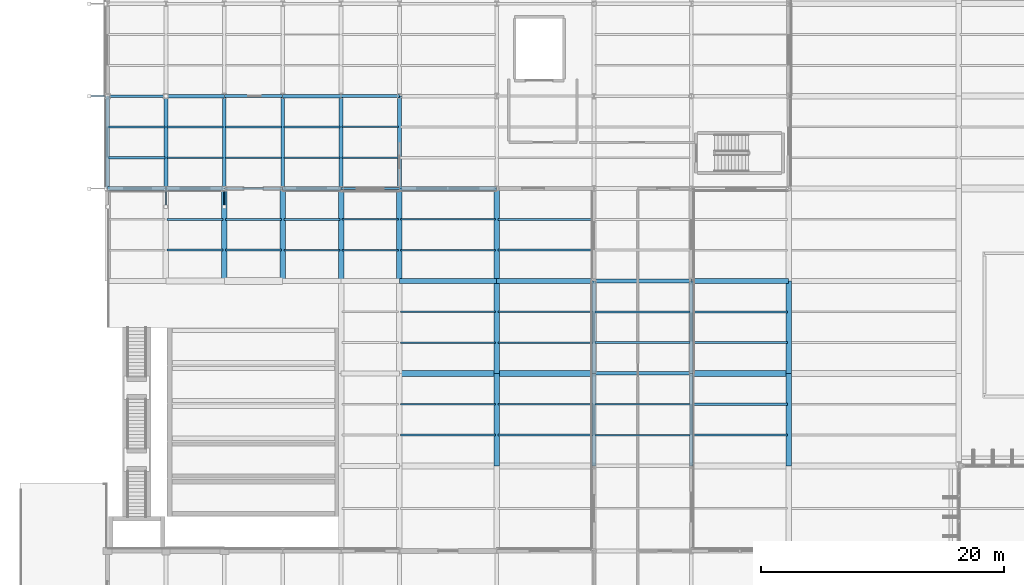
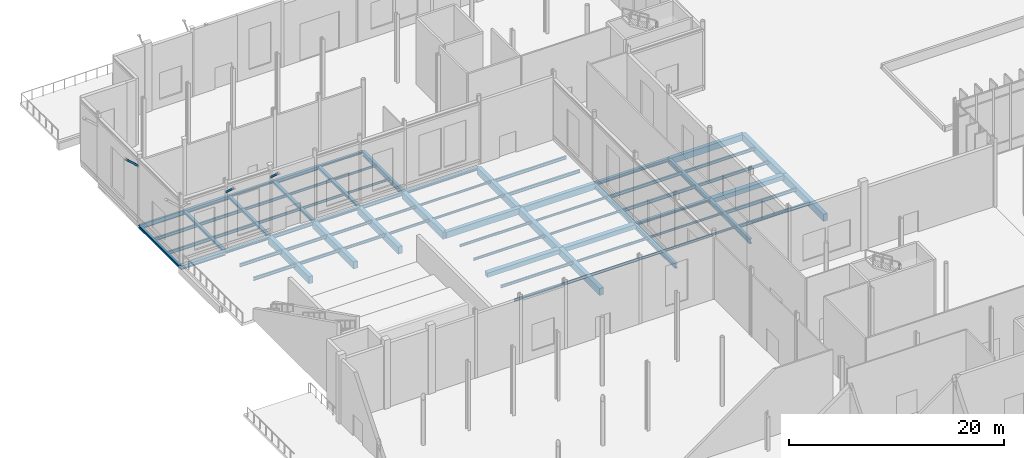
# One storey, part 56 of 176: 76 beams, 3 members.
"""IFC4 building model written with IfcOpenShell, lengths in metres."""

from ifc_helpers import new_model, si_unit, direction, frame, origin, origin_2d, place, context, subcontext, project, spatial, rectangle, hollow_rectangle, i_section, extrude, material, material_profile, profile_set, type_object, element, save


model = new_model("IFC4")

# Units and contexts
model_context = context("Model", 3, precision=1e-05, world=origin(), true_north=direction((0.0, 1.0)))
body_context = subcontext(model_context, "Body", "Model", "MODEL_VIEW")
ifc_project = project(units=[si_unit("LENGTHUNIT", "METRE"), si_unit("AREAUNIT", "SQUARE_METRE"), si_unit("VOLUMEUNIT", "CUBIC_METRE"), si_unit("PLANEANGLEUNIT", "RADIAN"), si_unit("MASSUNIT", "GRAM", prefix="KILO")], contexts=[model_context])

# Site, building, storey
site_placement = place(None, origin())
site = spatial("IfcSite", under=ifc_project, at=site_placement, CompositionType="ELEMENT")
building_placement = place(site_placement, origin())
building = spatial("IfcBuilding", under=site, at=building_placement, Name="Vekula Escarpment Museum", CompositionType="ELEMENT")
storey_placement = place(building_placement, origin())
storey = spatial("IfcBuildingStorey", under=building, at=storey_placement, Name="L01", CompositionType="ELEMENT", Elevation=0.0)

# Beams
ifc_material_1 = material(Name="Steel S355", Category="steel")
ifc_material_profile_1 = material_profile(ifc_material_1, i_section(OverallWidth=0.280029296875, OverallDepth=0.280029296875, WebThickness=0.010498046875, FlangeThickness=0.01806640625, FilletRadius=0.02392578125, at=origin_2d()), Name="HEB 280")
ifc_profile_set_1 = profile_set([ifc_material_profile_1], Name="Steel S355")
beam_type_1 = type_object("IfcBeamType", Name="BM-GIRD-HEB280", PredefinedType="BEAM", material=ifc_profile_set_1)
beam_1_placement = place(storey_placement, frame((40.0, 98.0, -0.4599609375), z_axis=(1.0, 0.0, 0.0), x_axis=(0.0, 1.0, 0.0)))
element("IfcBeam", 1, at=beam_1_placement, inside=storey, type_object=beam_type_1, Name="Beam X L01 0273", PredefinedType="BEAM", context=body_context, shape_type="SweptSolid", body=[
    extrude(i_section(OverallWidth=0.280029296875, OverallDepth=0.280029296875, WebThickness=0.010498046875, FlangeThickness=0.01806640625, FilletRadius=0.02392578125, at=origin_2d()), origin(), (0.0, 0.0, 1.0), 8.0),
])
ifc_material_2 = material(Name="Steel S355", Category="steel")
ifc_material_profile_2 = material_profile(ifc_material_2, i_section(OverallWidth=0.300048828125, OverallDepth=0.300048828125, WebThickness=0.010986328125, FlangeThickness=0.01904296875, FilletRadius=0.027099609375, at=origin_2d()), Name="HEB 300")
ifc_profile_set_2 = profile_set([ifc_material_profile_2], Name="Steel S355")
beam_type_2 = type_object("IfcBeamType", Name="BM-GIRD-HEB300", PredefinedType="BEAM", material=ifc_profile_set_2)
for number, where, z_axis, x_axis, name in (
    (2, (4.800048828125, 113.199951171875, -0.5), (1.0, 0.0, 0.0), (0.0, 1.0, 0.0), "Beam X L01 0307"),
    (3, (14.39990234375, 113.199951171875, -0.5), (1.0, 0.0, 0.0), (0.0, 1.0, 0.0), "Beam X L01 0309"),
):
    element("IfcBeam", number, at=place(storey_placement, frame(where, z_axis=z_axis, x_axis=x_axis)), inside=storey, type_object=beam_type_2, Name=name, PredefinedType="BEAM", context=body_context, shape_type="SweptSolid", body=[
        extrude(i_section(OverallWidth=0.300048828125, OverallDepth=0.300048828125, WebThickness=0.010986328125, FlangeThickness=0.01904296875, FilletRadius=0.027099609375, at=origin_2d()), origin(), (0.0, 0.0, 1.0), 4.800048828125),
    ])
beam_2_placement = place(storey_placement, frame((24.0, 113.199951171875, -0.5), z_axis=(1.0, 0.0, 0.0), x_axis=(0.0, 1.0, 0.0)))
element("IfcBeam", 4, at=beam_2_placement, inside=storey, type_object=beam_type_2, Name="Beam X L01 0311", PredefinedType="BEAM", context=body_context, shape_type="SweptSolid", body=[
    extrude(i_section(OverallWidth=0.300048828125, OverallDepth=0.300048828125, WebThickness=0.010986328125, FlangeThickness=0.01904296875, FilletRadius=0.027099609375, at=origin_2d()), origin(), (0.0, 0.0, 1.0), 8.0),
])
ifc_material_3 = material(Name="Steel S355", Category="steel")
ifc_material_profile_3 = material_profile(ifc_material_3, i_section(OverallWidth=0.300048828125, OverallDepth=0.360107421875, WebThickness=0.012451171875, FlangeThickness=0.0224609375, FilletRadius=0.027099609375, at=origin_2d()), Name="HEB 360")
ifc_profile_set_3 = profile_set([ifc_material_profile_3], Name="Steel S355")
beam_type_3 = type_object("IfcBeamType", Name="BM-GIRD-HEB360", PredefinedType="BEAM", material=ifc_profile_set_3)
beam_3_placement = place(storey_placement, frame((40.0, 105.60009765625, -0.5), z_axis=(1.0, 0.0, 0.0), x_axis=(0.0, 1.0, 0.0)))
element("IfcBeam", 5, at=beam_3_placement, inside=storey, type_object=beam_type_3, Name="Beam X L01 0293", PredefinedType="BEAM", context=body_context, shape_type="SweptSolid", body=[
    extrude(i_section(OverallWidth=0.300048828125, OverallDepth=0.360107421875, WebThickness=0.012451171875, FlangeThickness=0.0224609375, FilletRadius=0.027099609375, at=origin_2d()), origin(), (0.0, 0.0, 1.0), 8.0),
])
ifc_material_4 = material(Name="Steel S355", Category="steel")
ifc_material_profile_4 = material_profile(ifc_material_4, i_section(OverallWidth=0.300048828125, OverallDepth=0.39990234375, WebThickness=0.013427734375, FlangeThickness=0.02392578125, FilletRadius=0.027099609375, at=origin_2d()), Name="HEB 400")
ifc_profile_set_4 = profile_set([ifc_material_profile_4], Name="Steel S355")
beam_type_4 = type_object("IfcBeamType", Name="BM-GIRD-HEB400", PredefinedType="BEAM", material=ifc_profile_set_4)
for number, where, z_axis, x_axis, name in (
    (6, (4.800048828125, 120.800048828125, -0.550048828125), (1.0, 0.0, 0.0), (0.0, 1.0, 0.0), "Beam X L01 0330"),
    (7, (14.39990234375, 120.800048828125, -0.550048828125), (1.0, 0.0, 0.0), (0.0, 1.0, 0.0), "Beam X L01 0332"),
):
    element("IfcBeam", number, at=place(storey_placement, frame(where, z_axis=z_axis, x_axis=x_axis)), inside=storey, type_object=beam_type_4, Name=name, PredefinedType="BEAM", context=body_context, shape_type="SweptSolid", body=[
        extrude(i_section(OverallWidth=0.300048828125, OverallDepth=0.39990234375, WebThickness=0.013427734375, FlangeThickness=0.02392578125, FilletRadius=0.027099609375, at=origin_2d()), origin(), (0.0, 0.0, 1.0), 4.800048828125),
    ])
ifc_material_5 = material(Name="Steel S355", Category="steel")
ifc_material_profile_5 = material_profile(ifc_material_5, i_section(OverallWidth=0.300048828125, OverallDepth=0.449951171875, WebThickness=0.013916015625, FlangeThickness=0.02587890625, FilletRadius=0.027099609375, at=origin_2d()), Name="HEB 450")
ifc_profile_set_5 = profile_set([ifc_material_profile_5], Name="Steel S355")
beam_type_5 = type_object("IfcBeamType", Name="BM-GIRD-HEB450", PredefinedType="BEAM", material=ifc_profile_set_5)
beam_4_placement = place(storey_placement, frame((0.0, 113.199951171875, -0.574951171875), z_axis=(1.0, 0.0, 0.0), x_axis=(0.0, 1.0, 0.0)))
element("IfcBeam", 8, at=beam_4_placement, inside=storey, type_object=beam_type_5, Name="Beam X L01 0306", PredefinedType="BEAM", context=body_context, shape_type="SweptSolid", body=[
    extrude(i_section(OverallWidth=0.300048828125, OverallDepth=0.449951171875, WebThickness=0.013916015625, FlangeThickness=0.02587890625, FilletRadius=0.027099609375, at=origin_2d()), origin(), (0.0, 0.0, 1.0), 4.800048828125),
])
ifc_material_6 = material(Name="Steel S355", Category="steel")
ifc_material_profile_6 = material_profile(ifc_material_6, i_section(OverallWidth=0.300048828125, OverallDepth=0.550048828125, WebThickness=0.014892578125, FlangeThickness=0.029052734375, FilletRadius=0.027099609375, at=origin_2d()), Name="HEB 550")
ifc_profile_set_6 = profile_set([ifc_material_profile_6], Name="Steel S355")
beam_type_6 = type_object("IfcBeamType", Name="BM-GIRD-HEB550", PredefinedType="BEAM", material=ifc_profile_set_6)
for number, where, z_axis, x_axis, name in (
    (9, (24.0, 113.199951171875, -0.625), (0.0, 1.0, 0.0), (-1.0, 0.0, 0.0), "Beam Y L01 0458"),
    (10, (40.0, 90.39990234375, -0.594970703125), (0.0, 1.0, 0.0), (-1.0, 0.0, 0.0), "Beam Y L01 0491"),
    (11, (40.0, 98.0, -0.594970703125), (0.0, 1.0, 0.0), (-1.0, 0.0, 0.0), "Beam Y L01 0492"),
    (12, (48.0, 90.39990234375, -0.594970703125), (0.0, 1.0, 0.0), (-1.0, 0.0, 0.0), "Beam Y L01 0509"),
    (13, (48.0, 98.0, -0.594970703125), (0.0, 1.0, 0.0), (-1.0, 0.0, 0.0), "Beam Y L01 0510"),
):
    element("IfcBeam", number, at=place(storey_placement, frame(where, z_axis=z_axis, x_axis=x_axis)), inside=storey, type_object=beam_type_6, Name=name, PredefinedType="BEAM", context=body_context, shape_type="SweptSolid", body=[
        extrude(i_section(OverallWidth=0.300048828125, OverallDepth=0.550048828125, WebThickness=0.014892578125, FlangeThickness=0.029052734375, FilletRadius=0.027099609375, at=origin_2d()), origin(), (0.0, 0.0, 1.0), 7.60009765625),
    ])
ifc_material_7 = material(Name="Steel S355", Category="steel")
ifc_material_profile_7 = material_profile(ifc_material_7, i_section(OverallWidth=0.179931640625, OverallDepth=0.39990234375, WebThickness=0.008544921875, FlangeThickness=0.013427734375, FilletRadius=0.02099609375, at=origin_2d()), Name="IPE 400")
ifc_profile_set_7 = profile_set([ifc_material_profile_7], Name="Steel S355")
beam_type_7 = type_object("IfcBeamType", Name="BM-GIRD-IPE400", PredefinedType="BEAM", material=ifc_profile_set_7)
beam_5_placement = place(storey_placement, frame((9.60009765625, 113.199951171875, -0.550048828125), z_axis=(1.0, 0.0, 0.0), x_axis=(0.0, 1.0, 0.0)))
element("IfcBeam", 14, at=beam_5_placement, inside=storey, type_object=beam_type_7, Name="Beam X L01 0308", PredefinedType="BEAM", context=body_context, shape_type="SweptSolid", body=[
    extrude(i_section(OverallWidth=0.179931640625, OverallDepth=0.39990234375, WebThickness=0.008544921875, FlangeThickness=0.013427734375, FilletRadius=0.02099609375, at=origin_2d()), origin(), (0.0, 0.0, 1.0), 4.7998046875),
])
beam_6_placement = place(storey_placement, frame((19.199951171875, 113.199951171875, -0.550048828125), z_axis=(1.0, 0.0, 0.0), x_axis=(0.0, 1.0, 0.0)))
element("IfcBeam", 15, at=beam_6_placement, inside=storey, type_object=beam_type_7, Name="Beam X L01 0310", PredefinedType="BEAM", context=body_context, shape_type="SweptSolid", body=[
    extrude(i_section(OverallWidth=0.179931640625, OverallDepth=0.39990234375, WebThickness=0.008544921875, FlangeThickness=0.013427734375, FilletRadius=0.02099609375, at=origin_2d()), origin(), (0.0, 0.0, 1.0), 4.800048828125),
])
ifc_material_8 = material(Name="Steel S355", Category="steel")
ifc_material_profile_8 = material_profile(ifc_material_8, i_section(OverallWidth=0.199951171875, OverallDepth=0.5, WebThickness=0.01025390625, FlangeThickness=0.01611328125, FilletRadius=0.02099609375, at=origin_2d()), Name="IPE 500")
ifc_profile_set_8 = profile_set([ifc_material_profile_8], Name="Steel S355")
beam_type_8 = type_object("IfcBeamType", Name="BM-GIRD-IPE500", PredefinedType="BEAM", material=ifc_profile_set_8)
beam_7_placement = place(storey_placement, frame((0.0, 120.800048828125, -0.60009765625), z_axis=(1.0, 0.0, 0.0), x_axis=(0.0, 1.0, 0.0)))
element("IfcBeam", 16, at=beam_7_placement, inside=storey, type_object=beam_type_8, Name="Beam X L01 0329", PredefinedType="BEAM", context=body_context, shape_type="SweptSolid", body=[
    extrude(i_section(OverallWidth=0.199951171875, OverallDepth=0.5, WebThickness=0.01025390625, FlangeThickness=0.01611328125, FilletRadius=0.02099609375, at=origin_2d()), origin(), (0.0, 0.0, 1.0), 4.800048828125),
])
ifc_material_9 = material(Name="Steel S355", Category="steel")
ifc_material_profile_9 = material_profile(ifc_material_9, i_section(OverallWidth=0.1201171875, OverallDepth=0.239990234375, WebThickness=0.006103515625, FlangeThickness=0.009765625, FilletRadius=0.014892578125, at=origin_2d()), Name="IPE 240")
ifc_profile_set_9 = profile_set([ifc_material_profile_9], Name="Steel S355")
beam_type_9 = type_object("IfcBeamType", Name="BM-JST-IPE240", PredefinedType="JOIST", material=ifc_profile_set_9)
for number, where, z_axis, x_axis, name in (
    (17, (19.2900390625, 115.7333984375, -0.469970703125), (1.0, 0.0, 0.0), (0.0, 1.0, 0.0), "Secondary Joist L01 0077"),
    (18, (19.2900390625, 118.2666015625, -0.469970703125), (1.0, 0.0, 0.0), (0.0, 1.0, 0.0), "Secondary Joist L01 0078"),
):
    element("IfcBeam", number, at=place(storey_placement, frame(where, z_axis=z_axis, x_axis=x_axis)), inside=storey, type_object=beam_type_9, Name=name, PredefinedType="JOIST", context=body_context, shape_type="SweptSolid", body=[
        extrude(i_section(OverallWidth=0.1201171875, OverallDepth=0.239990234375, WebThickness=0.006103515625, FlangeThickness=0.009765625, FilletRadius=0.014892578125, at=origin_2d()), origin(), (0.0, 0.0, 1.0), 4.619873046875),
    ])
for number, where, z_axis, x_axis, name in (
    (19, (24.090087890625, 108.13330078125, -0.469970703125), (1.0, 0.0, 0.0), (0.0, 1.0, 0.0), "Secondary Joist L01 0106"),
    (20, (24.090087890625, 110.666748046875, -0.469970703125), (1.0, 0.0, 0.0), (0.0, 1.0, 0.0), "Secondary Joist L01 0107"),
    (21, (32.090087890625, 100.533203125, -0.43994140625), (1.0, 0.0, 0.0), (0.0, 1.0, 0.0), "Secondary Joist L01 0135"),
    (22, (32.090087890625, 103.066650390625, -0.43994140625), (1.0, 0.0, 0.0), (0.0, 1.0, 0.0), "Secondary Joist L01 0136"),
    (23, (40.090087890625, 92.933349609375, -0.43994140625), (1.0, 0.0, 0.0), (0.0, 1.0, 0.0), "Secondary Joist L01 0163"),
    (24, (40.090087890625, 95.466796875, -0.43994140625), (1.0, 0.0, 0.0), (0.0, 1.0, 0.0), "Secondary Joist L01 0164"),
):
    element("IfcBeam", number, at=place(storey_placement, frame(where, z_axis=z_axis, x_axis=x_axis)), inside=storey, type_object=beam_type_9, Name=name, PredefinedType="JOIST", context=body_context, shape_type="SweptSolid", body=[
        extrude(i_section(OverallWidth=0.1201171875, OverallDepth=0.239990234375, WebThickness=0.006103515625, FlangeThickness=0.009765625, FilletRadius=0.014892578125, at=origin_2d()), origin(), (0.0, 0.0, 1.0), 7.81982421875),
    ])
ifc_material_10 = material(Name="Steel S355", Category="steel")
ifc_material_profile_10 = material_profile(ifc_material_10, i_section(OverallWidth=0.135009765625, OverallDepth=0.27001953125, WebThickness=0.006591796875, FlangeThickness=0.01025390625, FilletRadius=0.014892578125, at=origin_2d()), Name="IPE 270")
ifc_profile_set_10 = profile_set([ifc_material_profile_10], Name="Steel S355")
beam_type_10 = type_object("IfcBeamType", Name="BM-JST-IPE270", PredefinedType="JOIST", material=ifc_profile_set_10)
for number, where, z_axis, x_axis, name in (
    (25, (14.489990234375, 115.7333984375, -0.485107421875), (1.0, 0.0, 0.0), (0.0, 1.0, 0.0), "Secondary Joist L01 0045"),
    (26, (14.489990234375, 118.2666015625, -0.485107421875), (1.0, 0.0, 0.0), (0.0, 1.0, 0.0), "Secondary Joist L01 0046"),
):
    element("IfcBeam", number, at=place(storey_placement, frame(where, z_axis=z_axis, x_axis=x_axis)), inside=storey, type_object=beam_type_10, Name=name, PredefinedType="JOIST", context=body_context, shape_type="SweptSolid", body=[
        extrude(i_section(OverallWidth=0.135009765625, OverallDepth=0.27001953125, WebThickness=0.006591796875, FlangeThickness=0.01025390625, FilletRadius=0.014892578125, at=origin_2d()), origin(), (0.0, 0.0, 1.0), 4.6201171875),
    ])
for number, where, z_axis, x_axis, name in (
    (27, (19.2900390625, 108.13330078125, -0.485107421875), (1.0, 0.0, 0.0), (0.0, 1.0, 0.0), "Secondary Joist L01 0075"),
    (28, (19.2900390625, 110.666748046875, -0.485107421875), (1.0, 0.0, 0.0), (0.0, 1.0, 0.0), "Secondary Joist L01 0076"),
):
    element("IfcBeam", number, at=place(storey_placement, frame(where, z_axis=z_axis, x_axis=x_axis)), inside=storey, type_object=beam_type_10, Name=name, PredefinedType="JOIST", context=body_context, shape_type="SweptSolid", body=[
        extrude(i_section(OverallWidth=0.135009765625, OverallDepth=0.27001953125, WebThickness=0.006591796875, FlangeThickness=0.01025390625, FilletRadius=0.014892578125, at=origin_2d()), origin(), (0.0, 0.0, 1.0), 4.619873046875),
    ])
for number, where, z_axis, x_axis, name in (
    (29, (24.090087890625, 100.533203125, -0.43505859375), (1.0, 0.0, 0.0), (0.0, 1.0, 0.0), "Secondary Joist L01 0104"),
    (30, (24.090087890625, 103.066650390625, -0.43505859375), (1.0, 0.0, 0.0), (0.0, 1.0, 0.0), "Secondary Joist L01 0105"),
    (31, (32.090087890625, 92.933349609375, -0.455078125), (1.0, 0.0, 0.0), (0.0, 1.0, 0.0), "Secondary Joist L01 0133"),
    (32, (32.090087890625, 95.466796875, -0.455078125), (1.0, 0.0, 0.0), (0.0, 1.0, 0.0), "Secondary Joist L01 0134"),
):
    element("IfcBeam", number, at=place(storey_placement, frame(where, z_axis=z_axis, x_axis=x_axis)), inside=storey, type_object=beam_type_10, Name=name, PredefinedType="JOIST", context=body_context, shape_type="SweptSolid", body=[
        extrude(i_section(OverallWidth=0.135009765625, OverallDepth=0.27001953125, WebThickness=0.006591796875, FlangeThickness=0.01025390625, FilletRadius=0.014892578125, at=origin_2d()), origin(), (0.0, 0.0, 1.0), 7.81982421875),
    ])
ifc_material_11 = material(Name="Steel S355", Category="steel")
ifc_material_profile_11 = material_profile(ifc_material_11, i_section(OverallWidth=0.14990234375, OverallDepth=0.300048828125, WebThickness=0.007080078125, FlangeThickness=0.0107421875, FilletRadius=0.014892578125, at=origin_2d()), Name="IPE 300")
ifc_profile_set_11 = profile_set([ifc_material_profile_11], Name="Steel S355")
beam_type_11 = type_object("IfcBeamType", Name="BM-JST-IPE300", PredefinedType="JOIST", material=ifc_profile_set_11)
for number, where, z_axis, x_axis, name in (
    (33, (9.68994140625, 115.7333984375, -0.5), (1.0, 0.0, 0.0), (0.0, 1.0, 0.0), "Secondary Joist L01 0031"),
    (34, (9.68994140625, 118.2666015625, -0.5), (1.0, 0.0, 0.0), (0.0, 1.0, 0.0), "Secondary Joist L01 0032"),
    (35, (14.489990234375, 108.13330078125, -0.5), (1.0, 0.0, 0.0), (0.0, 1.0, 0.0), "Secondary Joist L01 0043"),
    (36, (14.489990234375, 110.666748046875, -0.5), (1.0, 0.0, 0.0), (0.0, 1.0, 0.0), "Secondary Joist L01 0044"),
):
    element("IfcBeam", number, at=place(storey_placement, frame(where, z_axis=z_axis, x_axis=x_axis)), inside=storey, type_object=beam_type_11, Name=name, PredefinedType="JOIST", context=body_context, shape_type="SweptSolid", body=[
        extrude(i_section(OverallWidth=0.14990234375, OverallDepth=0.300048828125, WebThickness=0.007080078125, FlangeThickness=0.0107421875, FilletRadius=0.014892578125, at=origin_2d()), origin(), (0.0, 0.0, 1.0), 4.6201171875),
    ])
for number, where, z_axis, x_axis, name in (
    (37, (24.090087890625, 92.933349609375, -0.449951171875), (1.0, 0.0, 0.0), (0.0, 1.0, 0.0), "Secondary Joist L01 0102"),
    (38, (24.090087890625, 95.466796875, -0.449951171875), (1.0, 0.0, 0.0), (0.0, 1.0, 0.0), "Secondary Joist L01 0103"),
):
    element("IfcBeam", number, at=place(storey_placement, frame(where, z_axis=z_axis, x_axis=x_axis)), inside=storey, type_object=beam_type_11, Name=name, PredefinedType="JOIST", context=body_context, shape_type="SweptSolid", body=[
        extrude(i_section(OverallWidth=0.14990234375, OverallDepth=0.300048828125, WebThickness=0.007080078125, FlangeThickness=0.0107421875, FilletRadius=0.014892578125, at=origin_2d()), origin(), (0.0, 0.0, 1.0), 7.81982421875),
    ])
ifc_material_12 = material(Name="Steel S355", Category="steel")
ifc_material_profile_12 = material_profile(ifc_material_12, i_section(OverallWidth=0.159912109375, OverallDepth=0.330078125, WebThickness=0.007568359375, FlangeThickness=0.011474609375, FilletRadius=0.01806640625, at=origin_2d()), Name="IPE 330")
ifc_profile_set_12 = profile_set([ifc_material_profile_12], Name="Steel S355")
beam_type_12 = type_object("IfcBeamType", Name="BM-JST-IPE330", PredefinedType="JOIST", material=ifc_profile_set_12)
for number, where, z_axis, x_axis, name in (
    (39, (4.889892578125, 115.7333984375, -0.514892578125), (1.0, 0.0, 0.0), (0.0, 1.0, 0.0), "Secondary Joist L01 0019"),
    (40, (4.889892578125, 118.2666015625, -0.514892578125), (1.0, 0.0, 0.0), (0.0, 1.0, 0.0), "Secondary Joist L01 0020"),
    (41, (9.68994140625, 108.13330078125, -0.514892578125), (1.0, 0.0, 0.0), (0.0, 1.0, 0.0), "Secondary Joist L01 0029"),
    (42, (9.68994140625, 110.666748046875, -0.514892578125), (1.0, 0.0, 0.0), (0.0, 1.0, 0.0), "Secondary Joist L01 0030"),
):
    element("IfcBeam", number, at=place(storey_placement, frame(where, z_axis=z_axis, x_axis=x_axis)), inside=storey, type_object=beam_type_12, Name=name, PredefinedType="JOIST", context=body_context, shape_type="SweptSolid", body=[
        extrude(i_section(OverallWidth=0.159912109375, OverallDepth=0.330078125, WebThickness=0.007568359375, FlangeThickness=0.011474609375, FilletRadius=0.01806640625, at=origin_2d()), origin(), (0.0, 0.0, 1.0), 4.6201171875),
    ])
for number, where, z_axis, x_axis, name in (
    (43, (48.090087890625, 100.533203125, -0.485107421875), (1.0, 0.0, 0.0), (0.0, 1.0, 0.0), "Secondary Joist L01 0193"),
    (44, (48.090087890625, 103.066650390625, -0.485107421875), (1.0, 0.0, 0.0), (0.0, 1.0, 0.0), "Secondary Joist L01 0194"),
):
    element("IfcBeam", number, at=place(storey_placement, frame(where, z_axis=z_axis, x_axis=x_axis)), inside=storey, type_object=beam_type_12, Name=name, PredefinedType="JOIST", context=body_context, shape_type="SweptSolid", body=[
        extrude(i_section(OverallWidth=0.159912109375, OverallDepth=0.330078125, WebThickness=0.007568359375, FlangeThickness=0.011474609375, FilletRadius=0.01806640625, at=origin_2d()), origin(), (0.0, 0.0, 1.0), 7.81982421875),
    ])
ifc_material_13 = material(Name="Steel S355", Category="steel")
ifc_material_profile_13 = material_profile(ifc_material_13, i_section(OverallWidth=0.169921875, OverallDepth=0.360107421875, WebThickness=0.008056640625, FlangeThickness=0.0126953125, FilletRadius=0.01806640625, at=origin_2d()), Name="IPE 360")
ifc_profile_set_13 = profile_set([ifc_material_profile_13], Name="Steel S355")
beam_type_13 = type_object("IfcBeamType", Name="BM-JST-IPE360", PredefinedType="JOIST", material=ifc_profile_set_13)
for number, where, z_axis, x_axis, name in (
    (45, (0.090087890625, 115.7333984375, -0.530029296875), (1.0, 0.0, 0.0), (0.0, 1.0, 0.0), "Secondary Joist L01 0008"),
    (46, (0.090087890625, 118.2666015625, -0.530029296875), (1.0, 0.0, 0.0), (0.0, 1.0, 0.0), "Secondary Joist L01 0009"),
):
    element("IfcBeam", number, at=place(storey_placement, frame(where, z_axis=z_axis, x_axis=x_axis)), inside=storey, type_object=beam_type_13, Name=name, PredefinedType="JOIST", context=body_context, shape_type="SweptSolid", body=[
        extrude(i_section(OverallWidth=0.169921875, OverallDepth=0.360107421875, WebThickness=0.008056640625, FlangeThickness=0.0126953125, FilletRadius=0.01806640625, at=origin_2d()), origin(), (0.0, 0.0, 1.0), 4.619873046875),
    ])
for number, where, z_axis, x_axis, name in (
    (47, (4.889892578125, 108.13330078125, -0.530029296875), (1.0, 0.0, 0.0), (0.0, 1.0, 0.0), "Secondary Joist L01 0017"),
    (48, (4.889892578125, 110.666748046875, -0.530029296875), (1.0, 0.0, 0.0), (0.0, 1.0, 0.0), "Secondary Joist L01 0018"),
):
    element("IfcBeam", number, at=place(storey_placement, frame(where, z_axis=z_axis, x_axis=x_axis)), inside=storey, type_object=beam_type_13, Name=name, PredefinedType="JOIST", context=body_context, shape_type="SweptSolid", body=[
        extrude(i_section(OverallWidth=0.169921875, OverallDepth=0.360107421875, WebThickness=0.008056640625, FlangeThickness=0.0126953125, FilletRadius=0.01806640625, at=origin_2d()), origin(), (0.0, 0.0, 1.0), 4.6201171875),
    ])
for number, where, z_axis, x_axis, name in (
    (49, (32.090087890625, 108.13330078125, -0.530029296875), (1.0, 0.0, 0.0), (0.0, 1.0, 0.0), "Secondary Joist L01 0137"),
    (50, (32.090087890625, 110.666748046875, -0.530029296875), (1.0, 0.0, 0.0), (0.0, 1.0, 0.0), "Secondary Joist L01 0138"),
    (51, (40.090087890625, 100.533203125, -0.5), (1.0, 0.0, 0.0), (0.0, 1.0, 0.0), "Secondary Joist L01 0165"),
    (52, (40.090087890625, 103.066650390625, -0.5), (1.0, 0.0, 0.0), (0.0, 1.0, 0.0), "Secondary Joist L01 0166"),
    (53, (48.090087890625, 92.933349609375, -0.5), (1.0, 0.0, 0.0), (0.0, 1.0, 0.0), "Secondary Joist L01 0191"),
    (54, (48.090087890625, 95.466796875, -0.5), (1.0, 0.0, 0.0), (0.0, 1.0, 0.0), "Secondary Joist L01 0192"),
):
    element("IfcBeam", number, at=place(storey_placement, frame(where, z_axis=z_axis, x_axis=x_axis)), inside=storey, type_object=beam_type_13, Name=name, PredefinedType="JOIST", context=body_context, shape_type="SweptSolid", body=[
        extrude(i_section(OverallWidth=0.169921875, OverallDepth=0.360107421875, WebThickness=0.008056640625, FlangeThickness=0.0126953125, FilletRadius=0.01806640625, at=origin_2d()), origin(), (0.0, 0.0, 1.0), 7.81982421875),
    ])
ifc_material_14 = material(Name="Concrete C35/45", Category="concrete")
ifc_material_profile_14 = material_profile(ifc_material_14, rectangle(XDim=0.449951171875, YDim=0.800048828125, at=origin_2d()), Name="RC 450x800")
ifc_profile_set_14 = profile_set([ifc_material_profile_14], Name="Concrete C35/45")
beam_type_14 = type_object("IfcBeamType", Name="BM-PLINTH-RC", PredefinedType="BEAM", material=ifc_profile_set_14)
for number, where, z_axis, x_axis, name in (
    (55, (9.60009765625, 105.60009765625, -0.75), (0.0, 1.0, 0.0), (-1.0, 0.0, 0.0), "Beam Y L01 0413"),
    (56, (14.39990234375, 105.60009765625, -0.75), (0.0, 1.0, 0.0), (-1.0, 0.0, 0.0), "Beam Y L01 0421"),
    (57, (19.199951171875, 105.60009765625, -0.75), (0.0, 1.0, 0.0), (-1.0, 0.0, 0.0), "Beam Y L01 0439"),
    (58, (24.0, 105.60009765625, -0.75), (0.0, 1.0, 0.0), (-1.0, 0.0, 0.0), "Beam Y L01 0457"),
):
    element("IfcBeam", number, at=place(storey_placement, frame(where, z_axis=z_axis, x_axis=x_axis)), inside=storey, type_object=beam_type_14, Name=name, PredefinedType="BEAM", context=body_context, shape_type="SweptSolid", body=[
        extrude(rectangle(XDim=0.449951171875, YDim=0.800048828125, at=origin_2d()), origin(), (0.0, 0.0, 1.0), 7.599853515625),
    ])
for number, where, z_axis, x_axis, name in (
    (59, (32.0, 90.39990234375, -0.699951171875), (0.0, 1.0, 0.0), (-1.0, 0.0, 0.0), "Beam Y L01 0473"),
    (60, (32.0, 98.0, -0.699951171875), (0.0, 1.0, 0.0), (-1.0, 0.0, 0.0), "Beam Y L01 0474"),
):
    element("IfcBeam", number, at=place(storey_placement, frame(where, z_axis=z_axis, x_axis=x_axis)), inside=storey, type_object=beam_type_14, Name=name, PredefinedType="BEAM", context=body_context, shape_type="SweptSolid", body=[
        extrude(rectangle(XDim=0.449951171875, YDim=0.800048828125, at=origin_2d()), origin(), (0.0, 0.0, 1.0), 7.60009765625),
    ])
beam_8_placement = place(storey_placement, frame((32.0, 105.60009765625, -0.75), z_axis=(0.0, 1.0, 0.0), x_axis=(-1.0, 0.0, 0.0)))
element("IfcBeam", 61, at=beam_8_placement, inside=storey, type_object=beam_type_14, Name="Beam Y L01 0475", PredefinedType="BEAM", context=body_context, shape_type="SweptSolid", body=[
    extrude(rectangle(XDim=0.449951171875, YDim=0.800048828125, at=origin_2d()), origin(), (0.0, 0.0, 1.0), 7.599853515625),
])
for number, where, z_axis, x_axis, name in (
    (62, (56.0, 90.39990234375, -0.699951171875), (0.0, 1.0, 0.0), (-1.0, 0.0, 0.0), "Beam Y L01 0527"),
    (63, (56.0, 98.0, -0.699951171875), (0.0, 1.0, 0.0), (-1.0, 0.0, 0.0), "Beam Y L01 0528"),
):
    element("IfcBeam", number, at=place(storey_placement, frame(where, z_axis=z_axis, x_axis=x_axis)), inside=storey, type_object=beam_type_14, Name=name, PredefinedType="BEAM", context=body_context, shape_type="SweptSolid", body=[
        extrude(rectangle(XDim=0.449951171875, YDim=0.800048828125, at=origin_2d()), origin(), (0.0, 0.0, 1.0), 7.60009765625),
    ])
ifc_material_15 = material(Name="Concrete C35/45", Category="concrete")
ifc_material_profile_15 = material_profile(ifc_material_15, rectangle(XDim=0.39990234375, YDim=0.699951171875, at=origin_2d()), Name="RC 400x700")
ifc_profile_set_15 = profile_set([ifc_material_profile_15], Name="Concrete C35/45")
beam_type_15 = type_object("IfcBeamType", Name="BM-PLINTH-RC2", PredefinedType="BEAM", material=ifc_profile_set_15)
for number, where, z_axis, x_axis, name in (
    (64, (24.0, 105.60009765625, -0.64990234375), (1.0, 0.0, 0.0), (0.0, 1.0, 0.0), "Beam X L01 0291"),
    (65, (32.0, 105.60009765625, -0.669921875), (1.0, 0.0, 0.0), (0.0, 1.0, 0.0), "Beam X L01 0292"),
    (66, (48.0, 105.60009765625, -0.669921875), (1.0, 0.0, 0.0), (0.0, 1.0, 0.0), "Beam X L01 0294"),
):
    element("IfcBeam", number, at=place(storey_placement, frame(where, z_axis=z_axis, x_axis=x_axis)), inside=storey, type_object=beam_type_15, Name=name, PredefinedType="BEAM", context=body_context, shape_type="SweptSolid", body=[
        extrude(rectangle(XDim=0.39990234375, YDim=0.699951171875, at=origin_2d()), origin(), (0.0, 0.0, 1.0), 8.0),
    ])
ifc_material_16 = material(Name="Concrete C35/45", Category="concrete")
ifc_material_profile_16 = material_profile(ifc_material_16, rectangle(XDim=0.5, YDim=0.5, at=origin_2d()), Name="RC 500x500")
ifc_profile_set_16 = profile_set([ifc_material_profile_16], Name="Concrete C35/45")
beam_type_16 = type_object("IfcBeamType", Name="BM-PLINTH-RC3", PredefinedType="BEAM", material=ifc_profile_set_16)
for number, where, z_axis, x_axis, name in (
    (67, (24.0, 98.0, -0.550048828125), (1.0, 0.0, 0.0), (0.0, 1.0, 0.0), "Beam X L01 0271"),
    (68, (32.0, 98.0, -0.570068359375), (1.0, 0.0, 0.0), (0.0, 1.0, 0.0), "Beam X L01 0272"),
    (69, (48.0, 98.0, -0.570068359375), (1.0, 0.0, 0.0), (0.0, 1.0, 0.0), "Beam X L01 0274"),
):
    element("IfcBeam", number, at=place(storey_placement, frame(where, z_axis=z_axis, x_axis=x_axis)), inside=storey, type_object=beam_type_16, Name=name, PredefinedType="BEAM", context=body_context, shape_type="SweptSolid", body=[
        extrude(rectangle(XDim=0.5, YDim=0.5, at=origin_2d()), origin(), (0.0, 0.0, 1.0), 8.0),
    ])
ifc_material_17 = material(Name="Steel S355", Category="steel")
ifc_material_profile_17 = material_profile(ifc_material_17, i_section(OverallWidth=0.239990234375, OverallDepth=0.22998046875, WebThickness=0.007568359375, FlangeThickness=0.011962890625, FilletRadius=0.02099609375, at=origin_2d()), Name="HEA 240")
ifc_profile_set_17 = profile_set([ifc_material_profile_17], Name="Steel S355")
beam_type_17 = type_object("IfcBeamType", Name="BM-SPAN-HEA240", PredefinedType="SPANDREL", material=ifc_profile_set_17)
beam_9_placement = place(storey_placement, frame((9.60009765625, 120.800048828125, -0.465087890625), z_axis=(1.0, 0.0, 0.0), x_axis=(0.0, 1.0, 0.0)))
element("IfcBeam", 70, at=beam_9_placement, inside=storey, type_object=beam_type_17, Name="Beam X L01 0331", PredefinedType="SPANDREL", context=body_context, shape_type="SweptSolid", body=[
    extrude(i_section(OverallWidth=0.239990234375, OverallDepth=0.22998046875, WebThickness=0.007568359375, FlangeThickness=0.011962890625, FilletRadius=0.02099609375, at=origin_2d()), origin(), (0.0, 0.0, 1.0), 4.7998046875),
])
beam_10_placement = place(storey_placement, frame((19.199951171875, 120.800048828125, -0.465087890625), z_axis=(1.0, 0.0, 0.0), x_axis=(0.0, 1.0, 0.0)))
element("IfcBeam", 71, at=beam_10_placement, inside=storey, type_object=beam_type_17, Name="Beam X L01 0333", PredefinedType="SPANDREL", context=body_context, shape_type="SweptSolid", body=[
    extrude(i_section(OverallWidth=0.239990234375, OverallDepth=0.22998046875, WebThickness=0.007568359375, FlangeThickness=0.011962890625, FilletRadius=0.02099609375, at=origin_2d()), origin(), (0.0, 0.0, 1.0), 4.800048828125),
])
ifc_material_18 = material(Name="Steel S355", Category="steel")
ifc_material_profile_18 = material_profile(ifc_material_18, i_section(OverallWidth=0.300048828125, OverallDepth=0.2900390625, WebThickness=0.008544921875, FlangeThickness=0.013916015625, FilletRadius=0.027099609375, at=origin_2d()), Name="HEA 300")
ifc_profile_set_18 = profile_set([ifc_material_profile_18], Name="Steel S355")
beam_type_18 = type_object("IfcBeamType", Name="BM-SPAN-HEA300", PredefinedType="SPANDREL", material=ifc_profile_set_18)
for number, where, z_axis, x_axis, name in (
    (72, (0.0, 113.199951171875, -0.4951171875), (0.0, 1.0, 0.0), (-1.0, 0.0, 0.0), "Beam Y L01 0401"),
    (73, (4.800048828125, 113.199951171875, -0.4951171875), (0.0, 1.0, 0.0), (-1.0, 0.0, 0.0), "Beam Y L01 0407"),
    (74, (9.60009765625, 113.199951171875, -0.4951171875), (0.0, 1.0, 0.0), (-1.0, 0.0, 0.0), "Beam Y L01 0414"),
    (75, (14.39990234375, 113.199951171875, -0.4951171875), (0.0, 1.0, 0.0), (-1.0, 0.0, 0.0), "Beam Y L01 0422"),
    (76, (19.199951171875, 113.199951171875, -0.4951171875), (0.0, 1.0, 0.0), (-1.0, 0.0, 0.0), "Beam Y L01 0440"),
):
    element("IfcBeam", number, at=place(storey_placement, frame(where, z_axis=z_axis, x_axis=x_axis)), inside=storey, type_object=beam_type_18, Name=name, PredefinedType="SPANDREL", context=body_context, shape_type="SweptSolid", body=[
        extrude(i_section(OverallWidth=0.300048828125, OverallDepth=0.2900390625, WebThickness=0.008544921875, FlangeThickness=0.013916015625, FilletRadius=0.027099609375, at=origin_2d()), origin(), (0.0, 0.0, 1.0), 7.60009765625),
    ])

# Members
ifc_material_19 = material(Name="Steel S355", Category="steel")
ifc_material_profile_19 = material_profile(ifc_material_19, hollow_rectangle(XDim=0.10009765625, YDim=0.199951171875, WallThickness=0.008056640625, InnerFilletRadius=0.008056640625, OuterFilletRadius=0.01611328125, at=origin_2d()), Name="RHS 200x100x8")
ifc_profile_set_19 = profile_set([ifc_material_profile_19], Name="Steel S355")
member_type = type_object("IfcMemberType", Name="MB-SACAK-BRK", PredefinedType="STRUT", material=ifc_profile_set_19)
member_placement = place(storey_placement, frame((-0.1201171875, 120.800048828125, 6.35009765625), z_axis=(-0.738454378718, 0.0, 0.674303441006), x_axis=(0.0, -1.0, 0.0)))
element("IfcMember", 77, at=member_placement, inside=storey, type_object=member_type, Name="Ottoman Sacak Eave Bracket L02-0003", PredefinedType="STRUT", context=body_context, shape_type="SweptSolid", body=[
    extrude(hollow_rectangle(XDim=0.10009765625, YDim=0.199951171875, WallThickness=0.008056640625, InnerFilletRadius=0.008056640625, OuterFilletRadius=0.01611328125, at=origin_2d()), origin(), (0.0, 0.0, 1.0), 1.86865234375),
])
for number, where, z_axis, x_axis, name in (
    (78, (4.800048828125, 113.080078125, 6.35009765625), (0.0, -0.738513776389, 0.674238386688), (1.0, 0.0, 0.0), "Ottoman Sacak Eave Bracket L02-0005"),
    (79, (9.60009765625, 113.080078125, 6.35009765625), (0.0, -0.738513776389, 0.674238386688), (1.0, 0.0, 0.0), "Ottoman Sacak Eave Bracket L02-0006"),
):
    element("IfcMember", number, at=place(storey_placement, frame(where, z_axis=z_axis, x_axis=x_axis)), inside=storey, type_object=member_type, Name=name, PredefinedType="STRUT", context=body_context, shape_type="SweptSolid", body=[
        extrude(hollow_rectangle(XDim=0.10009765625, YDim=0.199951171875, WallThickness=0.008056640625, InnerFilletRadius=0.008056640625, OuterFilletRadius=0.01611328125, at=origin_2d()), origin(), (0.0, 0.0, 1.0), 1.868896484375),
    ])

save(model, "model.ifc")
